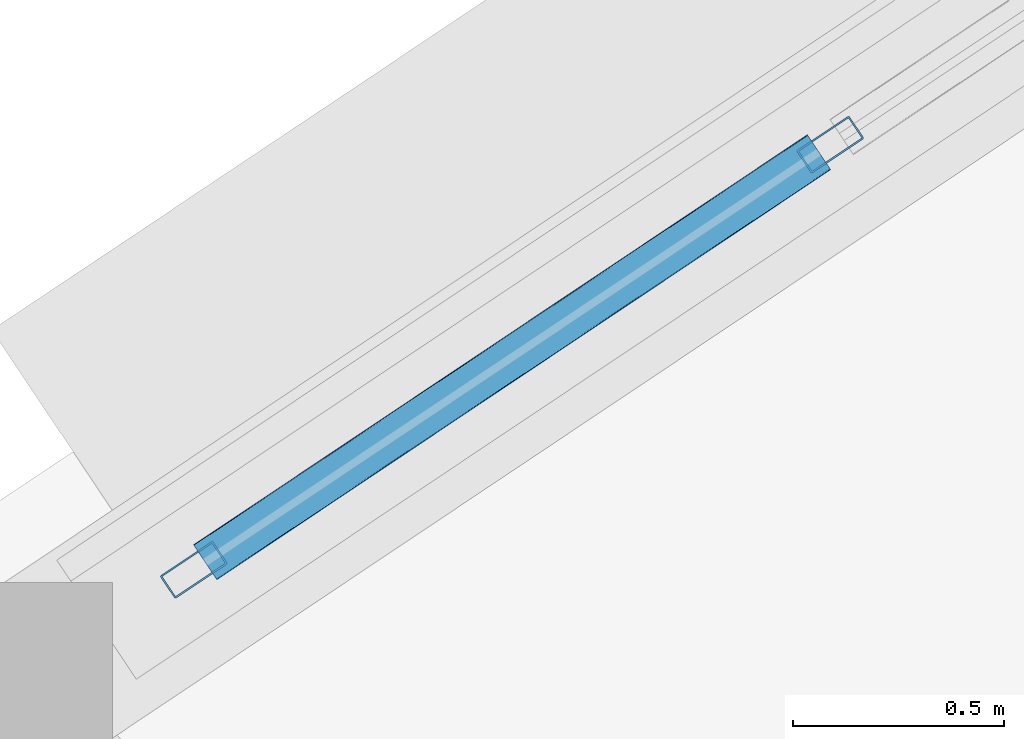
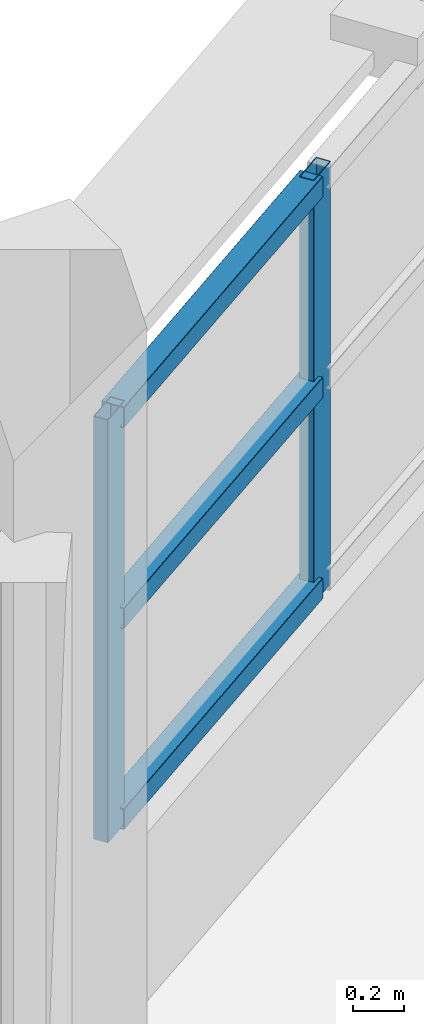
# One storey, part 35 of 121: 5 members, 1 element without a shape of its own.
"""IFC4 building model written with IfcOpenShell, lengths in metres."""

from ifc_helpers import new_model, si_unit, direction, frame, origin, origin_2d, place, context, subcontext, project, spatial, hollow_rectangle, extrude, material, layer, layer_set, material_profile, profile_set, type_object, element, aggregate, save


model = new_model("IFC4")

# Units and contexts
model_context = context("Model", 3, precision=1e-05, world=origin(), true_north=direction((0.0, 1.0)))
body_context = subcontext(model_context, "Body", "Model", "MODEL_VIEW")
ifc_project = project(units=[si_unit("LENGTHUNIT", "METRE"), si_unit("AREAUNIT", "SQUARE_METRE"), si_unit("VOLUMEUNIT", "CUBIC_METRE"), si_unit("PLANEANGLEUNIT", "RADIAN"), si_unit("MASSUNIT", "GRAM", prefix="KILO")], contexts=[model_context])

# Site, building, storey
site_placement = place(None, origin())
site = spatial("IfcSite", under=ifc_project, at=site_placement, CompositionType="ELEMENT")
building_placement = place(site_placement, origin())
building = spatial("IfcBuilding", under=site, at=building_placement, Name="Vespera Passage Community Centre", CompositionType="ELEMENT")
storey_placement = place(building_placement, frame((0.0, 0.0, 8.699951171875)))
storey = spatial("IfcBuildingStorey", under=building, at=storey_placement, Name="L02", CompositionType="ELEMENT", Elevation=8.699951171875)

# Curtain wall, members
ifc_material_1 = material(Name="Anodized aluminium 6063-T6", Category="aluminium")
ifc_layer = layer(ifc_material_1, 0.159912109375)
ifc_layer_set = layer_set([ifc_layer], Name="Anodized aluminium 6063-T6")
curtain_wall_type = type_object("IfcCurtainWallType", Name="CW-109E", PredefinedType="NOTDEFINED", material=ifc_layer_set)
curtain_wall_placement = place(storey_placement, origin())
curtain_wall = element("IfcCurtainWall", 1, at=curtain_wall_placement, inside=storey, type_object=curtain_wall_type, Name="Dining Drum Ribbon Curtain Wall L02.6", PredefinedType="NOTDEFINED")
ifc_material_2 = material(Name="Anodized aluminium 6063-T6", Category="aluminium")
ifc_material_profile_1 = material_profile(ifc_material_2, hollow_rectangle(XDim=0.06494140625, YDim=0.14990234375, WallThickness=0.00390625, InnerFilletRadius=0.001953125, OuterFilletRadius=0.00390625, at=origin_2d()), Name="ALU150X65X4")
ifc_profile_set_1 = profile_set([ifc_material_profile_1], Name="Anodized aluminium 6063-T6")
member_type_1 = type_object("IfcMemberType", Name="MB-CWM-150E", PredefinedType="MULLION", material=ifc_profile_set_1)
member_1_placement = place(storey_placement, frame((129.40185546875, 37.421142578125, 0.800048828125), z_axis=(0.0, 0.0, 1.0), x_axis=(-0.555564700918, 0.831473308708, 0.0)))
member_1 = element("IfcMember", 2, at=member_1_placement, type_object=member_type_1, Name="CW-109E mullion 1", PredefinedType="MULLION", context=body_context, shape_type="SweptSolid", body=[
    extrude(hollow_rectangle(XDim=0.06494140625, YDim=0.14990234375, WallThickness=0.00390625, InnerFilletRadius=0.001953125, OuterFilletRadius=0.00390625, at=origin_2d()), origin(), (0.0, 0.0, 1.0), 2.014892578125),
])
member_2_placement = place(storey_placement, frame((130.9130859375, 38.430908203125, 0.800048828125), z_axis=(0.0, 0.0, 1.0), x_axis=(-0.555564700918, 0.831473308708, 0.0)))
member_2 = element("IfcMember", 3, at=member_2_placement, type_object=member_type_1, Name="CW-109E mullion 2", PredefinedType="MULLION", context=body_context, shape_type="SweptSolid", body=[
    extrude(hollow_rectangle(XDim=0.06494140625, YDim=0.14990234375, WallThickness=0.00390625, InnerFilletRadius=0.001953125, OuterFilletRadius=0.00390625, at=origin_2d()), origin(), (0.0, 0.0, 1.0), 2.014892578125),
])
ifc_material_3 = material(Name="Anodized aluminium 6063-T6", Category="aluminium")
ifc_material_profile_2 = material_profile(ifc_material_3, hollow_rectangle(XDim=0.10009765625, YDim=0.10009765625, WallThickness=0.00390625, InnerFilletRadius=0.001953125, OuterFilletRadius=0.00390625, at=origin_2d()), Name="ALU100X100X4")
ifc_profile_set_2 = profile_set([ifc_material_profile_2], Name="Anodized aluminium 6063-T6")
member_type_2 = type_object("IfcMemberType", Name="MB-CWT-100E", PredefinedType="USERDEFINED", material=ifc_profile_set_2)
member_3_placement = place(storey_placement, frame((129.428955078125, 37.439208984375, 0.85009765625), z_axis=(0.831492667194, 0.555535727386, 0.0), x_axis=(-0.555535727386, 0.831492667194, 0.0)))
member_3 = element("IfcMember", 4, at=member_3_placement, type_object=member_type_2, Name="CW-109E transom 1.1", ObjectType="TRANSOM", PredefinedType="USERDEFINED", context=body_context, shape_type="SweptSolid", body=[
    extrude(hollow_rectangle(XDim=0.10009765625, YDim=0.10009765625, WallThickness=0.00390625, InnerFilletRadius=0.001953125, OuterFilletRadius=0.00390625, at=origin_2d()), origin(), (0.0, 0.0, 1.0), 1.752685546875),
])
member_4_placement = place(storey_placement, frame((129.428955078125, 37.439208984375, 1.8076171875), z_axis=(0.831492667194, 0.555535727386, 0.0), x_axis=(-0.555535727386, 0.831492667194, 0.0)))
member_4 = element("IfcMember", 5, at=member_4_placement, type_object=member_type_2, Name="CW-109E transom 1.2", ObjectType="TRANSOM", PredefinedType="USERDEFINED", context=body_context, shape_type="SweptSolid", body=[
    extrude(hollow_rectangle(XDim=0.10009765625, YDim=0.10009765625, WallThickness=0.00390625, InnerFilletRadius=0.001953125, OuterFilletRadius=0.00390625, at=origin_2d()), origin(), (0.0, 0.0, 1.0), 1.752685546875),
])
member_5_placement = place(storey_placement, frame((129.428955078125, 37.439208984375, 2.76513671875), z_axis=(0.831492667194, 0.555535727386, 0.0), x_axis=(-0.555535727386, 0.831492667194, 0.0)))
member_5 = element("IfcMember", 6, at=member_5_placement, type_object=member_type_2, Name="CW-109E transom 1.3", ObjectType="TRANSOM", PredefinedType="USERDEFINED", context=body_context, shape_type="SweptSolid", body=[
    extrude(hollow_rectangle(XDim=0.10009765625, YDim=0.10009765625, WallThickness=0.00390625, InnerFilletRadius=0.001953125, OuterFilletRadius=0.00390625, at=origin_2d()), origin(), (0.0, 0.0, 1.0), 1.752685546875),
])
aggregate(curtain_wall, [member_1, member_2, member_3, member_4, member_5])

save(model, "model.ifc")
